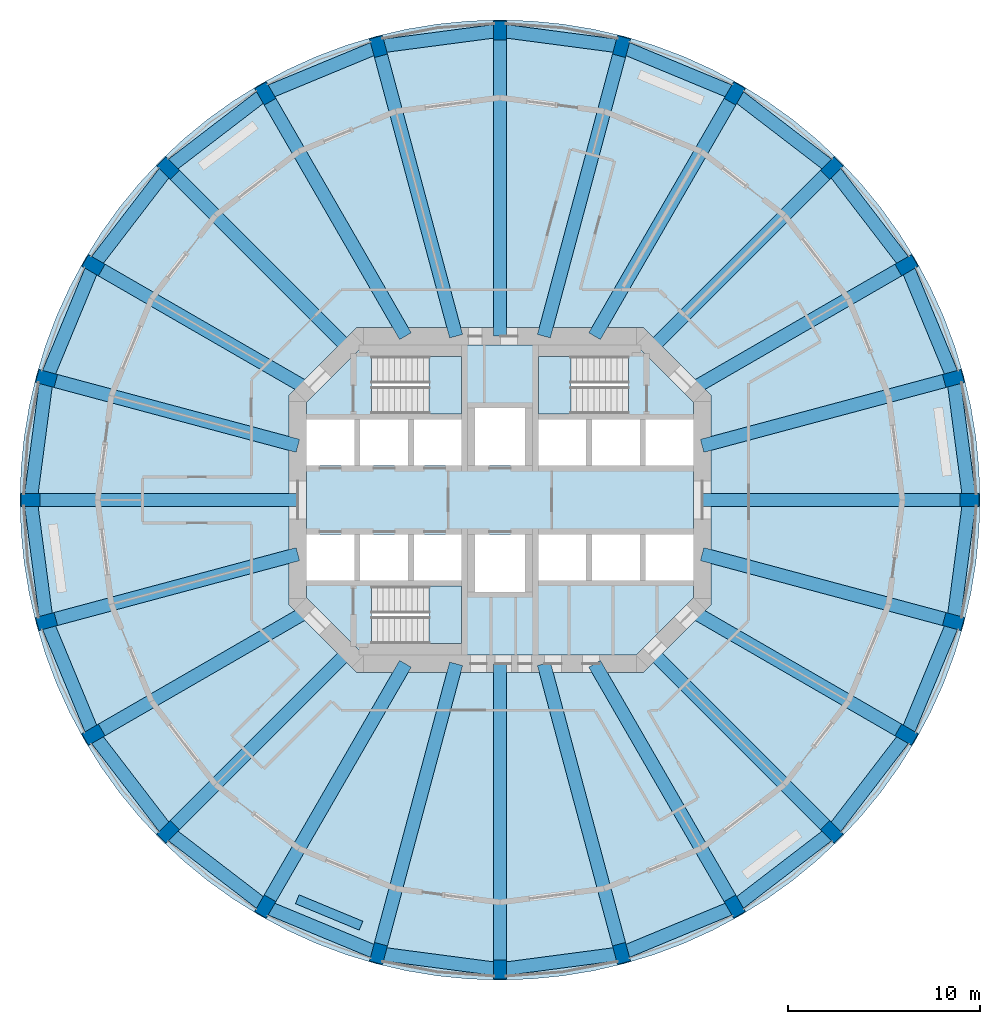
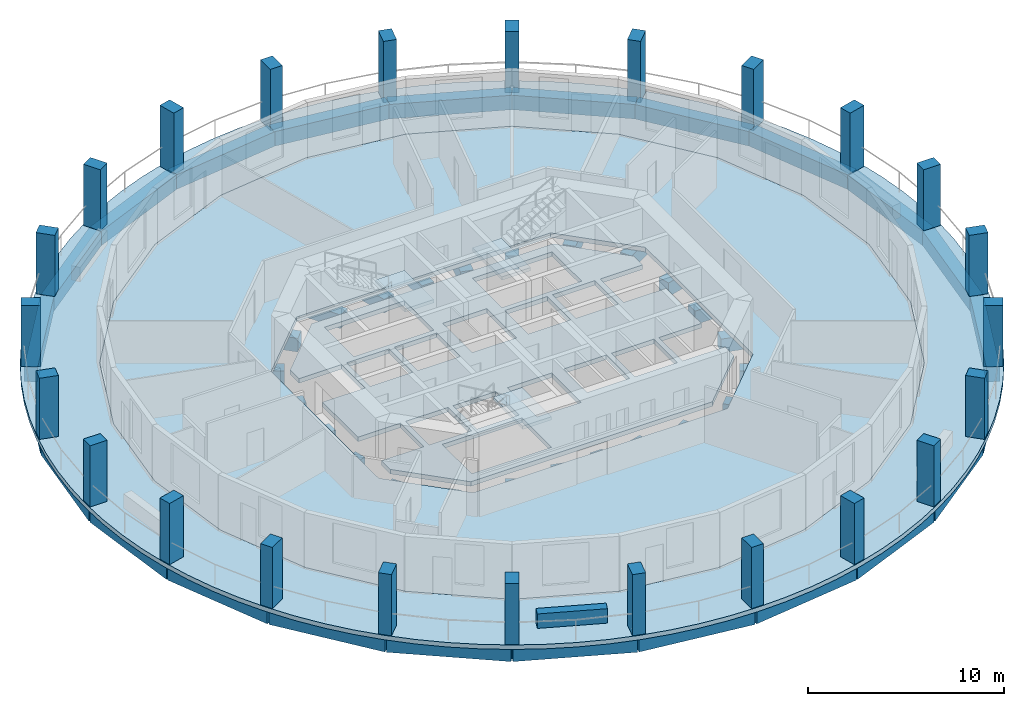
# One storey, part 1 of 8: 48 beams, 24 columns, 6 slabs, 1 wall, 3 elements without a shape of their own.
"""IFC4 building model written with IfcOpenShell, lengths in metres."""

from ifc_helpers import new_model, si_unit, direction, frame, frame_2d, origin, origin_2d, place, context, subcontext, project, spatial, polyline, rectangle, outline, extrude, material, layer, layer_set, material_profile, profile_set, type_object, element, aggregate, save


model = new_model("IFC4")

# Units and contexts
model_context = context("Model", 3, precision=1e-05, world=origin(), true_north=direction((0.0, 1.0)))
body_context = subcontext(model_context, "Body", "Model", "MODEL_VIEW")
ifc_project = project(units=[si_unit("LENGTHUNIT", "METRE"), si_unit("AREAUNIT", "SQUARE_METRE"), si_unit("VOLUMEUNIT", "CUBIC_METRE"), si_unit("PLANEANGLEUNIT", "RADIAN"), si_unit("MASSUNIT", "GRAM", prefix="KILO")], contexts=[model_context])

# Site, building, storey
site_placement = place(None, origin())
site = spatial("IfcSite", under=ifc_project, at=site_placement, CompositionType="ELEMENT")
building_placement = place(site_placement, origin())
building = spatial("IfcBuilding", under=site, at=building_placement, Name="Torre Triforio", CompositionType="ELEMENT")
storey_placement = place(building_placement, frame((0.0, 0.0, 142.800048828125)))
storey = spatial("IfcBuildingStorey", under=building, at=storey_placement, Name="L32", CompositionType="ELEMENT", Elevation=142.800048828125)

# Columns
ifc_material_1 = material(Name="Concrete C60", Category="concrete")
ifc_material_profile_1 = material_profile(ifc_material_1, rectangle(XDim=0.699951171875, YDim=1.0, at=origin_2d()), Name="RC 700x1000")
ifc_profile_set_1 = profile_set([ifc_material_profile_1], Name="Concrete C60")
column_type = type_object("IfcColumnType", Name="Pier RC 700x1000 C60", PredefinedType="COLUMN", material=ifc_profile_set_1)
for number, where, z_axis, x_axis, name in (
    (1, (24.5, 0.0, 0.0), (0.0, 0.0, 1.0), (0.0, 1.0, 0.0), "COL.R.L32.00"),
    (2, (23.665283203125, 6.341064453125, 0.0), (0.0, 0.0, 1.0), (-0.258819045103, 0.965925826289, 0.0), "COL.R.L32.01"),
    (3, (21.217529296875, 12.25, 0.0), (0.0, 0.0, 1.0), (-0.5, 0.866025403784, 0.0), "COL.R.L32.02"),
    (4, (17.32421875, 17.32421875, 0.0), (0.0, 0.0, 1.0), (-0.707106781187, 0.707106781187, 0.0), "COL.R.L32.03"),
    (5, (12.25, 21.217529296875, 0.0), (0.0, 0.0, 1.0), (-0.866025403784, 0.5, 0.0), "COL.R.L32.04"),
    (6, (6.341064453125, 23.665283203125, 0.0), (0.0, 0.0, 1.0), (-0.965925826289, 0.258819045103, 0.0), "COL.R.L32.05"),
    (7, (0.0, 24.5, 0.0), (0.0, 0.0, 1.0), (-1.0, 0.0, 0.0), "COL.R.L32.06"),
    (8, (-6.341064453125, 23.665283203125, 0.0), (0.0, 0.0, 1.0), (-0.965925826289, -0.258819045103, 0.0), "COL.R.L32.07"),
    (9, (-12.25, 21.217529296875, 0.0), (0.0, 0.0, 1.0), (-0.866025403784, -0.5, 0.0), "COL.R.L32.08"),
    (10, (-17.32421875, 17.32421875, 0.0), (0.0, 0.0, 1.0), (-0.707106781187, -0.707106781187, 0.0), "COL.R.L32.09"),
    (11, (-21.217529296875, 12.25, 0.0), (0.0, 0.0, 1.0), (-0.5, -0.866025403784, 0.0), "COL.R.L32.10"),
    (12, (-23.665283203125, 6.341064453125, 0.0), (0.0, 0.0, 1.0), (-0.258819045103, -0.965925826289, 0.0), "COL.R.L32.11"),
    (13, (-24.5, 0.0, 0.0), (0.0, 0.0, 1.0), (0.0, -1.0, 0.0), "COL.R.L32.12"),
    (14, (-23.665283203125, -6.341064453125, 0.0), (0.0, 0.0, 1.0), (0.258819045103, -0.965925826289, 0.0), "COL.R.L32.13"),
    (15, (-21.217529296875, -12.25, 0.0), (0.0, 0.0, 1.0), (0.5, -0.866025403784, 0.0), "COL.R.L32.14"),
    (16, (-17.32421875, -17.32421875, 0.0), (0.0, 0.0, 1.0), (0.707106781187, -0.707106781187, 0.0), "COL.R.L32.15"),
    (17, (-12.25, -21.217529296875, 0.0), (0.0, 0.0, 1.0), (0.866025403784, -0.5, 0.0), "COL.R.L32.16"),
    (18, (-6.341064453125, -23.665283203125, 0.0), (0.0, 0.0, 1.0), (0.965925826289, -0.258819045103, 0.0), "COL.R.L32.17"),
    (19, (0.0, -24.5, 0.0), (0.0, 0.0, 1.0), (1.0, 0.0, 0.0), "COL.R.L32.18"),
    (20, (6.341064453125, -23.665283203125, 0.0), (0.0, 0.0, 1.0), (0.965925826289, 0.258819045103, 0.0), "COL.R.L32.19"),
    (21, (12.25, -21.217529296875, 0.0), (0.0, 0.0, 1.0), (0.866025403784, 0.5, 0.0), "COL.R.L32.20"),
    (22, (17.32421875, -17.32421875, 0.0), (0.0, 0.0, 1.0), (0.707106781187, 0.707106781187, 0.0), "COL.R.L32.21"),
    (23, (21.217529296875, -12.25, 0.0), (0.0, 0.0, 1.0), (0.5, 0.866025403784, 0.0), "COL.R.L32.22"),
    (24, (23.665283203125, -6.341064453125, 0.0), (0.0, 0.0, 1.0), (0.258819045103, 0.965925826289, 0.0), "COL.R.L32.23"),
):
    element("IfcColumn", number, at=place(storey_placement, frame(where, z_axis=z_axis, x_axis=x_axis)), inside=storey, type_object=column_type, Name=name, PredefinedType="COLUMN", context=body_context, shape_type="SweptSolid", body=[
        extrude(rectangle(XDim=0.699951171875, YDim=1.0, at=origin_2d()), origin(), (0.0, 0.0, 1.0), 3.800048828125),
    ])

# Beams
ifc_material_2 = material(Name="Concrete C50", Category="concrete")
ifc_material_profile_2 = material_profile(ifc_material_2, rectangle(XDim=0.699951171875, YDim=0.85009765625, at=origin_2d()), Name="RC 700x850")
ifc_profile_set_2 = profile_set([ifc_material_profile_2], Name="Concrete C50")
beam_type_1 = type_object("IfcBeamType", Name="Radial beam RC 700x850 C50", PredefinedType="BEAM", material=ifc_profile_set_2)
beam_1_placement = place(storey_placement, frame((10.550048828125, 0.0, -0.705078125), z_axis=(1.0, 0.0, 0.0), x_axis=(0.0, 1.0, 0.0)))
element("IfcBeam", 25, at=beam_1_placement, inside=storey, type_object=beam_type_1, Name="BM.R.L32.00", PredefinedType="BEAM", context=body_context, shape_type="SweptSolid", body=[
    extrude(rectangle(XDim=0.699951171875, YDim=0.85009765625, at=origin_2d()), origin(), (0.0, 0.0, 1.0), 13.949951171875),
])
beam_2_placement = place(storey_placement, frame((10.550048828125, 2.826904296875, -0.705078125), z_axis=(0.965926862951, 0.258815176197, 0.0), x_axis=(-0.258815176197, 0.965926862951, 0.0)))
element("IfcBeam", 26, at=beam_2_placement, inside=storey, type_object=beam_type_1, Name="BM.R.L32.01", PredefinedType="BEAM", context=body_context, shape_type="SweptSolid", body=[
    extrude(rectangle(XDim=0.699951171875, YDim=0.85009765625, at=origin_2d()), origin(), (0.0, 0.0, 1.0), 13.577880859375),
])
beam_3_placement = place(storey_placement, frame((10.039794921875, 5.796630859375, -0.705078125), z_axis=(0.866028718729, 0.499994258303, 0.0), x_axis=(-0.499994258303, 0.866028718729, 0.0)))
element("IfcBeam", 27, at=beam_3_placement, inside=storey, type_object=beam_type_1, Name="BM.R.L32.02", PredefinedType="BEAM", context=body_context, shape_type="SweptSolid", body=[
    extrude(rectangle(XDim=0.699951171875, YDim=0.85009765625, at=origin_2d()), origin(), (0.0, 0.0, 1.0), 12.906982421875),
])
beam_4_placement = place(storey_placement, frame((7.918212890625, 7.918212890625, -0.705078125), z_axis=(0.707106781187, 0.707106781187, 0.0), x_axis=(-0.707106781187, 0.707106781187, 0.0)))
element("IfcBeam", 28, at=beam_4_placement, inside=storey, type_object=beam_type_1, Name="BM.R.L32.03", PredefinedType="BEAM", context=body_context, shape_type="SweptSolid", body=[
    extrude(rectangle(XDim=0.699951171875, YDim=0.85009765625, at=origin_2d()), origin(), (0.0, 0.0, 1.0), 13.302001953125),
])
beam_5_placement = place(storey_placement, frame((4.936279296875, 8.550048828125, -0.705078125), z_axis=(0.500007560092, 0.86602103892, 0.0), x_axis=(-0.86602103892, 0.500007560092, 0.0)))
element("IfcBeam", 29, at=beam_5_placement, inside=storey, type_object=beam_type_1, Name="BM.R.L32.04", PredefinedType="BEAM", context=body_context, shape_type="SweptSolid", body=[
    extrude(rectangle(XDim=0.699951171875, YDim=0.85009765625, at=origin_2d()), origin(), (0.0, 0.0, 1.0), 14.627197265625),
])
beam_6_placement = place(storey_placement, frame((2.291015625, 8.550048828125, -0.705078125), z_axis=(0.258815108997, 0.965926880957, 0.0), x_axis=(-0.965926880957, 0.258815108997, 0.0)))
element("IfcBeam", 30, at=beam_6_placement, inside=storey, type_object=beam_type_1, Name="BM.R.L32.05", PredefinedType="BEAM", context=body_context, shape_type="SweptSolid", body=[
    extrude(rectangle(XDim=0.699951171875, YDim=0.85009765625, at=origin_2d()), origin(), (0.0, 0.0, 1.0), 15.6484375),
])
beam_7_placement = place(storey_placement, frame((0.0, 8.550048828125, -0.705078125), z_axis=(0.0, 1.0, 0.0), x_axis=(-1.0, 0.0, 0.0)))
element("IfcBeam", 31, at=beam_7_placement, inside=storey, type_object=beam_type_1, Name="BM.R.L32.06", PredefinedType="BEAM", context=body_context, shape_type="SweptSolid", body=[
    extrude(rectangle(XDim=0.699951171875, YDim=0.85009765625, at=origin_2d()), origin(), (0.0, 0.0, 1.0), 15.949951171875),
])
beam_8_placement = place(storey_placement, frame((-2.291015625, 8.550048828125, -0.705078125), z_axis=(-0.258815108997, 0.965926880957, 0.0), x_axis=(-0.965926880957, -0.258815108997, 0.0)))
element("IfcBeam", 32, at=beam_8_placement, inside=storey, type_object=beam_type_1, Name="BM.R.L32.07", PredefinedType="BEAM", context=body_context, shape_type="SweptSolid", body=[
    extrude(rectangle(XDim=0.699951171875, YDim=0.85009765625, at=origin_2d()), origin(), (0.0, 0.0, 1.0), 15.6484375),
])
beam_9_placement = place(storey_placement, frame((-4.936279296875, 8.550048828125, -0.705078125), z_axis=(-0.500007560092, 0.86602103892, 0.0), x_axis=(-0.86602103892, -0.500007560092, 0.0)))
element("IfcBeam", 33, at=beam_9_placement, inside=storey, type_object=beam_type_1, Name="BM.R.L32.08", PredefinedType="BEAM", context=body_context, shape_type="SweptSolid", body=[
    extrude(rectangle(XDim=0.699951171875, YDim=0.85009765625, at=origin_2d()), origin(), (0.0, 0.0, 1.0), 14.627197265625),
])
beam_10_placement = place(storey_placement, frame((-7.918212890625, 7.918212890625, -0.705078125), z_axis=(-0.707106781187, 0.707106781187, 0.0), x_axis=(-0.707106781187, -0.707106781187, 0.0)))
element("IfcBeam", 34, at=beam_10_placement, inside=storey, type_object=beam_type_1, Name="BM.R.L32.09", PredefinedType="BEAM", context=body_context, shape_type="SweptSolid", body=[
    extrude(rectangle(XDim=0.699951171875, YDim=0.85009765625, at=origin_2d()), origin(), (0.0, 0.0, 1.0), 13.302001953125),
])
beam_11_placement = place(storey_placement, frame((-10.039794921875, 5.796630859375, -0.705078125), z_axis=(-0.866028718729, 0.499994258303, 0.0), x_axis=(-0.499994258303, -0.866028718729, 0.0)))
element("IfcBeam", 35, at=beam_11_placement, inside=storey, type_object=beam_type_1, Name="BM.R.L32.10", PredefinedType="BEAM", context=body_context, shape_type="SweptSolid", body=[
    extrude(rectangle(XDim=0.699951171875, YDim=0.85009765625, at=origin_2d()), origin(), (0.0, 0.0, 1.0), 12.906982421875),
])
beam_12_placement = place(storey_placement, frame((-10.550048828125, 2.826904296875, -0.705078125), z_axis=(-0.965926862951, 0.258815176197, 0.0), x_axis=(-0.258815176197, -0.965926862951, 0.0)))
element("IfcBeam", 36, at=beam_12_placement, inside=storey, type_object=beam_type_1, Name="BM.R.L32.11", PredefinedType="BEAM", context=body_context, shape_type="SweptSolid", body=[
    extrude(rectangle(XDim=0.699951171875, YDim=0.85009765625, at=origin_2d()), origin(), (0.0, 0.0, 1.0), 13.577880859375),
])
beam_13_placement = place(storey_placement, frame((-10.550048828125, 0.0, -0.705078125), z_axis=(-1.0, 0.0, 0.0), x_axis=(0.0, -1.0, 0.0)))
element("IfcBeam", 37, at=beam_13_placement, inside=storey, type_object=beam_type_1, Name="BM.R.L32.12", PredefinedType="BEAM", context=body_context, shape_type="SweptSolid", body=[
    extrude(rectangle(XDim=0.699951171875, YDim=0.85009765625, at=origin_2d()), origin(), (0.0, 0.0, 1.0), 13.949951171875),
])
beam_14_placement = place(storey_placement, frame((-10.550048828125, -2.826904296875, -0.705078125), z_axis=(-0.965926862951, -0.258815176197, 0.0), x_axis=(0.258815176197, -0.965926862951, 0.0)))
element("IfcBeam", 38, at=beam_14_placement, inside=storey, type_object=beam_type_1, Name="BM.R.L32.13", PredefinedType="BEAM", context=body_context, shape_type="SweptSolid", body=[
    extrude(rectangle(XDim=0.699951171875, YDim=0.85009765625, at=origin_2d()), origin(), (0.0, 0.0, 1.0), 13.577880859375),
])
beam_15_placement = place(storey_placement, frame((-10.039794921875, -5.796630859375, -0.705078125), z_axis=(-0.866028718729, -0.499994258303, 0.0), x_axis=(0.499994258303, -0.866028718729, 0.0)))
element("IfcBeam", 39, at=beam_15_placement, inside=storey, type_object=beam_type_1, Name="BM.R.L32.14", PredefinedType="BEAM", context=body_context, shape_type="SweptSolid", body=[
    extrude(rectangle(XDim=0.699951171875, YDim=0.85009765625, at=origin_2d()), origin(), (0.0, 0.0, 1.0), 12.906982421875),
])
beam_16_placement = place(storey_placement, frame((-7.918212890625, -7.918212890625, -0.705078125), z_axis=(-0.707106781187, -0.707106781187, 0.0), x_axis=(0.707106781187, -0.707106781187, 0.0)))
element("IfcBeam", 40, at=beam_16_placement, inside=storey, type_object=beam_type_1, Name="BM.R.L32.15", PredefinedType="BEAM", context=body_context, shape_type="SweptSolid", body=[
    extrude(rectangle(XDim=0.699951171875, YDim=0.85009765625, at=origin_2d()), origin(), (0.0, 0.0, 1.0), 13.302001953125),
])
beam_17_placement = place(storey_placement, frame((-4.936279296875, -8.550048828125, -0.705078125), z_axis=(-0.500007560092, -0.86602103892, 0.0), x_axis=(0.86602103892, -0.500007560092, 0.0)))
element("IfcBeam", 41, at=beam_17_placement, inside=storey, type_object=beam_type_1, Name="BM.R.L32.16", PredefinedType="BEAM", context=body_context, shape_type="SweptSolid", body=[
    extrude(rectangle(XDim=0.699951171875, YDim=0.85009765625, at=origin_2d()), origin(), (0.0, 0.0, 1.0), 14.627197265625),
])
beam_18_placement = place(storey_placement, frame((-2.291015625, -8.550048828125, -0.705078125), z_axis=(-0.258815108997, -0.965926880957, 0.0), x_axis=(0.965926880957, -0.258815108997, 0.0)))
element("IfcBeam", 42, at=beam_18_placement, inside=storey, type_object=beam_type_1, Name="BM.R.L32.17", PredefinedType="BEAM", context=body_context, shape_type="SweptSolid", body=[
    extrude(rectangle(XDim=0.699951171875, YDim=0.85009765625, at=origin_2d()), origin(), (0.0, 0.0, 1.0), 15.6484375),
])
beam_19_placement = place(storey_placement, frame((0.0, -8.550048828125, -0.705078125), z_axis=(0.0, -1.0, 0.0), x_axis=(1.0, 0.0, 0.0)))
element("IfcBeam", 43, at=beam_19_placement, inside=storey, type_object=beam_type_1, Name="BM.R.L32.18", PredefinedType="BEAM", context=body_context, shape_type="SweptSolid", body=[
    extrude(rectangle(XDim=0.699951171875, YDim=0.85009765625, at=origin_2d()), origin(), (0.0, 0.0, 1.0), 15.949951171875),
])
beam_20_placement = place(storey_placement, frame((2.291015625, -8.550048828125, -0.705078125), z_axis=(0.258815108997, -0.965926880957, 0.0), x_axis=(0.965926880957, 0.258815108997, 0.0)))
element("IfcBeam", 44, at=beam_20_placement, inside=storey, type_object=beam_type_1, Name="BM.R.L32.19", PredefinedType="BEAM", context=body_context, shape_type="SweptSolid", body=[
    extrude(rectangle(XDim=0.699951171875, YDim=0.85009765625, at=origin_2d()), origin(), (0.0, 0.0, 1.0), 15.6484375),
])
beam_21_placement = place(storey_placement, frame((4.936279296875, -8.550048828125, -0.705078125), z_axis=(0.500007560092, -0.86602103892, 0.0), x_axis=(0.86602103892, 0.500007560092, 0.0)))
element("IfcBeam", 45, at=beam_21_placement, inside=storey, type_object=beam_type_1, Name="BM.R.L32.20", PredefinedType="BEAM", context=body_context, shape_type="SweptSolid", body=[
    extrude(rectangle(XDim=0.699951171875, YDim=0.85009765625, at=origin_2d()), origin(), (0.0, 0.0, 1.0), 14.627197265625),
])
beam_22_placement = place(storey_placement, frame((7.918212890625, -7.918212890625, -0.705078125), z_axis=(0.707106781187, -0.707106781187, 0.0), x_axis=(0.707106781187, 0.707106781187, 0.0)))
element("IfcBeam", 46, at=beam_22_placement, inside=storey, type_object=beam_type_1, Name="BM.R.L32.21", PredefinedType="BEAM", context=body_context, shape_type="SweptSolid", body=[
    extrude(rectangle(XDim=0.699951171875, YDim=0.85009765625, at=origin_2d()), origin(), (0.0, 0.0, 1.0), 13.302001953125),
])
beam_23_placement = place(storey_placement, frame((10.039794921875, -5.796630859375, -0.705078125), z_axis=(0.866028718729, -0.499994258303, 0.0), x_axis=(0.499994258303, 0.866028718729, 0.0)))
element("IfcBeam", 47, at=beam_23_placement, inside=storey, type_object=beam_type_1, Name="BM.R.L32.22", PredefinedType="BEAM", context=body_context, shape_type="SweptSolid", body=[
    extrude(rectangle(XDim=0.699951171875, YDim=0.85009765625, at=origin_2d()), origin(), (0.0, 0.0, 1.0), 12.906982421875),
])
beam_24_placement = place(storey_placement, frame((10.550048828125, -2.826904296875, -0.705078125), z_axis=(0.965926862951, -0.258815176197, 0.0), x_axis=(0.258815176197, 0.965926862951, 0.0)))
element("IfcBeam", 48, at=beam_24_placement, inside=storey, type_object=beam_type_1, Name="BM.R.L32.23", PredefinedType="BEAM", context=body_context, shape_type="SweptSolid", body=[
    extrude(rectangle(XDim=0.699951171875, YDim=0.85009765625, at=origin_2d()), origin(), (0.0, 0.0, 1.0), 13.577880859375),
])
ifc_material_profile_3 = material_profile(ifc_material_2, rectangle(XDim=0.699951171875, YDim=0.89990234375, at=origin_2d()), Name="RC 700x900")
ifc_profile_set_3 = profile_set([ifc_material_profile_3], Name="Concrete C50")
beam_type_2 = type_object("IfcBeamType", Name="Spandrel beam RC 700x900 C50", PredefinedType="SPANDREL", material=ifc_profile_set_3)
for number, where, z_axis, x_axis, name in (
    (49, (24.5, 0.0, -0.72998046875), (-0.130510796237, 0.991446888172, 0.0), (-0.991446888172, -0.130510796237, 0.0), "BM.S.L32.00"),
    (50, (23.665283203125, 6.341064453125, -0.72998046875), (-0.382709143949, 0.923868882006, 0.0), (-0.923868882006, -0.382709143949, 0.0), "BM.S.L32.01"),
    (51, (21.217529296875, 12.25, -0.72998046875), (-0.60873442055, 0.79337406388, 0.0), (-0.79337406388, -0.60873442055, 0.0), "BM.S.L32.02"),
    (52, (17.32421875, 17.32421875, -0.72998046875), (-0.79337406388, 0.60873442055, 0.0), (-0.60873442055, -0.79337406388, 0.0), "BM.S.L32.03"),
    (53, (12.25, 21.217529296875, -0.72998046875), (-0.923868882006, 0.382709143949, 0.0), (-0.382709143949, -0.923868882006, 0.0), "BM.S.L32.04"),
    (54, (6.341064453125, 23.665283203125, -0.72998046875), (-0.991446888172, 0.130510796237, 0.0), (-0.130510796237, -0.991446888172, 0.0), "BM.S.L32.05"),
    (55, (0.0, 24.5, -0.72998046875), (-0.991446888172, -0.130510796237, 0.0), (0.130510796237, -0.991446888172, 0.0), "BM.S.L32.06"),
    (56, (-6.341064453125, 23.665283203125, -0.72998046875), (-0.923868882006, -0.382709143949, 0.0), (0.382709143949, -0.923868882006, 0.0), "BM.S.L32.07"),
    (57, (-12.25, 21.217529296875, -0.72998046875), (-0.79337406388, -0.60873442055, 0.0), (0.60873442055, -0.79337406388, 0.0), "BM.S.L32.08"),
    (58, (-17.32421875, 17.32421875, -0.72998046875), (-0.60873442055, -0.79337406388, 0.0), (0.79337406388, -0.60873442055, 0.0), "BM.S.L32.09"),
    (59, (-21.217529296875, 12.25, -0.72998046875), (-0.382709143949, -0.923868882006, 0.0), (0.923868882006, -0.382709143949, 0.0), "BM.S.L32.10"),
    (60, (-23.665283203125, 6.341064453125, -0.72998046875), (-0.130510796237, -0.991446888172, 0.0), (0.991446888172, -0.130510796237, 0.0), "BM.S.L32.11"),
    (61, (-24.5, 0.0, -0.72998046875), (0.130510796237, -0.991446888172, 0.0), (0.991446888172, 0.130510796237, 0.0), "BM.S.L32.12"),
    (62, (-23.665283203125, -6.341064453125, -0.72998046875), (0.382709143949, -0.923868882006, 0.0), (0.923868882006, 0.382709143949, 0.0), "BM.S.L32.13"),
    (63, (-21.217529296875, -12.25, -0.72998046875), (0.60873442055, -0.79337406388, 0.0), (0.79337406388, 0.60873442055, 0.0), "BM.S.L32.14"),
    (64, (-17.32421875, -17.32421875, -0.72998046875), (0.79337406388, -0.60873442055, 0.0), (0.60873442055, 0.79337406388, 0.0), "BM.S.L32.15"),
    (65, (-12.25, -21.217529296875, -0.72998046875), (0.923868882006, -0.382709143949, 0.0), (0.382709143949, 0.923868882006, 0.0), "BM.S.L32.16"),
    (66, (-6.341064453125, -23.665283203125, -0.72998046875), (0.991446888172, -0.130510796237, 0.0), (0.130510796237, 0.991446888172, 0.0), "BM.S.L32.17"),
    (67, (0.0, -24.5, -0.72998046875), (0.991446888172, 0.130510796237, 0.0), (-0.130510796237, 0.991446888172, 0.0), "BM.S.L32.18"),
    (68, (6.341064453125, -23.665283203125, -0.72998046875), (0.923868882006, 0.382709143949, 0.0), (-0.382709143949, 0.923868882006, 0.0), "BM.S.L32.19"),
    (69, (12.25, -21.217529296875, -0.72998046875), (0.79337406388, 0.60873442055, 0.0), (-0.60873442055, 0.79337406388, 0.0), "BM.S.L32.20"),
    (70, (17.32421875, -17.32421875, -0.72998046875), (0.60873442055, 0.79337406388, 0.0), (-0.79337406388, 0.60873442055, 0.0), "BM.S.L32.21"),
    (71, (21.217529296875, -12.25, -0.72998046875), (0.382709143949, 0.923868882006, 0.0), (-0.923868882006, 0.382709143949, 0.0), "BM.S.L32.22"),
    (72, (23.665283203125, -6.341064453125, -0.72998046875), (0.130510796237, 0.991446888172, 0.0), (-0.991446888172, 0.130510796237, 0.0), "BM.S.L32.23"),
):
    element("IfcBeam", number, at=place(storey_placement, frame(where, z_axis=z_axis, x_axis=x_axis)), inside=storey, type_object=beam_type_2, Name=name, PredefinedType="SPANDREL", context=body_context, shape_type="SweptSolid", body=[
        extrude(rectangle(XDim=0.699951171875, YDim=0.89990234375, at=origin_2d()), origin(), (0.0, 0.0, 1.0), 6.395751953125),
    ])

# Slabs
ifc_layer_1 = layer(ifc_material_1, 0.280029296875)
ifc_layer_set_1 = layer_set([ifc_layer_1], Name="Concrete C60")
slab_type_1 = type_object("IfcSlabType", Name="Core floor slab 280 mm C60 REI 120", PredefinedType="FLOOR", material=ifc_layer_set_1)
slab_1_placement = place(storey_placement, frame((0.0, 0.0, -0.280029296875)))
element("IfcSlab", 73, at=slab_1_placement, inside=storey, type_object=slab_type_1, Name="Core floor slab", PredefinedType="FLOOR", context=body_context, shape_type="SweptSolid", body=[
    extrude(outline(polyline([(10.10009765625, -5.10009765625), (7.10009765625, -8.10009765625), (-7.10009765625, -8.10009765625), (-10.10009765625, -5.10009765625), (-10.10009765625, -4.199951171875), (-7.60009765625, -4.199951171875), (-7.60009765625, -1.800048828125), (-10.10009765625, -1.800048828125), (-10.10009765625, 1.800048828125), (-7.60009765625, 1.800048828125), (-7.60009765625, 4.199951171875), (-10.10009765625, 4.199951171875), (-10.10009765625, 5.10009765625), (-7.10009765625, 8.10009765625), (7.10009765625, 8.10009765625), (10.10009765625, 5.10009765625), (10.10009765625, 4.199951171875), (7.60009765625, 4.199951171875), (7.60009765625, 1.800048828125), (10.10009765625, 1.800048828125), (10.10009765625, -1.800048828125), (7.60009765625, -1.800048828125), (7.60009765625, -4.199951171875), (10.10009765625, -4.199951171875), (10.10009765625, -5.10009765625)]), holes=[polyline([(-2.0, -4.5), (-6.696044921875, -4.5), (-6.696044921875, -7.5), (-2.0, -7.5), (-2.0, -4.5)]), polyline([(-4.800048828125, -1.800048828125), (-7.300048828125, -1.800048828125), (-7.300048828125, -4.199951171875), (-4.800048828125, -4.199951171875), (-4.800048828125, -1.800048828125)]), polyline([(-2.0, -1.800048828125), (-4.5, -1.800048828125), (-4.5, -4.199951171875), (-2.0, -4.199951171875), (-2.0, -1.800048828125)]), polyline([(-4.800048828125, 4.199951171875), (-7.300048828125, 4.199951171875), (-7.300048828125, 1.800048828125), (-4.800048828125, 1.800048828125), (-4.800048828125, 4.199951171875)]), polyline([(-2.0, 4.199951171875), (-4.5, 4.199951171875), (-4.5, 1.800048828125), (-2.0, 1.800048828125), (-2.0, 4.199951171875)]), polyline([(1.300048828125, 4.800048828125), (-1.300048828125, 4.800048828125), (-1.300048828125, 1.800048828125), (1.300048828125, 1.800048828125), (1.300048828125, 4.800048828125)]), polyline([(-2.0, 7.5), (-6.696044921875, 7.5), (-6.696044921875, 4.5), (-2.0, 4.5), (-2.0, 7.5)]), polyline([(1.300048828125, -1.800048828125), (-1.300048828125, -1.800048828125), (-1.300048828125, -4.800048828125), (1.300048828125, -4.800048828125), (1.300048828125, -1.800048828125)]), polyline([(4.5, -1.800048828125), (2.0, -1.800048828125), (2.0, -4.199951171875), (4.5, -4.199951171875), (4.5, -1.800048828125)]), polyline([(7.300048828125, -1.800048828125), (4.800048828125, -1.800048828125), (4.800048828125, -4.199951171875), (7.300048828125, -4.199951171875), (7.300048828125, -1.800048828125)]), polyline([(4.5, 4.199951171875), (2.0, 4.199951171875), (2.0, 1.800048828125), (4.5, 1.800048828125), (4.5, 4.199951171875)]), polyline([(7.300048828125, 4.199951171875), (4.800048828125, 4.199951171875), (4.800048828125, 1.800048828125), (7.300048828125, 1.800048828125), (7.300048828125, 4.199951171875)]), polyline([(6.696044921875, 4.5), (6.696044921875, 7.5), (2.0, 7.5), (2.0, 4.5), (6.696044921875, 4.5)])]), origin(), (0.0, 0.0, 1.0), 0.280029296875),
])
ifc_layer_2 = layer(ifc_material_2, 0.280029296875)
ifc_layer_set_2 = layer_set([ifc_layer_2], Name="Concrete C50")
slab_type_2 = type_object("IfcSlabType", Name="Floor slab 280 C50", PredefinedType="FLOOR", material=ifc_layer_set_2)
slab_2_placement = place(storey_placement, frame((0.0, 0.0, -0.280029296875)))
element("IfcSlab", 74, at=slab_2_placement, inside=storey, type_object=slab_type_2, Name="SL.L32", PredefinedType="FLOOR", context=body_context, shape_type="SweptSolid", body=[
    extrude(outline(polyline([(18.1865234375, -10.5), (20.284423828125, -5.435302734375), (21.0, 0.0), (20.284423828125, 5.435302734375), (18.1865234375, 10.5), (14.84912109375, 14.84912109375), (10.5, 18.1865234375), (5.435302734375, 20.284423828125), (0.0, 21.0), (-5.435302734375, 20.284423828125), (-10.5, 18.1865234375), (-14.84912109375, 14.84912109375), (-18.1865234375, 10.5), (-20.284423828125, 5.435302734375), (-21.0, 0.0), (-20.284423828125, -5.435302734375), (-18.1865234375, -10.5), (-14.84912109375, -14.84912109375), (-10.5, -18.1865234375), (-5.435302734375, -20.284423828125), (0.0, -21.0), (5.435302734375, -20.284423828125), (10.5, -18.1865234375), (14.84912109375, -14.84912109375), (18.1865234375, -10.5)]), holes=[polyline([(11.0, 5.472900390625), (11.0, -5.472900390625), (7.472900390625, -9.0), (-7.472900390625, -9.0), (-11.0, -5.472900390625), (-11.0, 5.472900390625), (-7.472900390625, 9.0), (7.472900390625, 9.0), (11.0, 5.472900390625)])]), origin(), (0.0, 0.0, 1.0), 0.280029296875),
])
ifc_layer_3 = layer(ifc_material_2, 0.280029296875)
ifc_layer_set_3 = layer_set([ifc_layer_3], Name="Concrete C50")
slab_type_3 = type_object("IfcSlabType", Name="Loggia slab 280 C50", PredefinedType="FLOOR", material=ifc_layer_set_3)
slab_3_placement = place(storey_placement, frame((0.0, 0.0, -0.280029296875)))
element("IfcSlab", 75, at=slab_3_placement, inside=storey, type_object=slab_type_3, Name="SL.L32.LG", PredefinedType="FLOOR", context=body_context, shape_type="SweptSolid", body=[
    extrude(outline(polyline([(24.996337890625, -1.638427734375), (25.050048828125, 0.0), (24.996337890625, 1.638427734375), (24.835693359375, 3.269775390625), (24.568603515625, 4.886962890625), (24.196533203125, 6.4833984375), (23.720703125, 8.052001953125), (23.14306640625, 9.586181640625), (22.466552734375, 11.079345703125), (21.69384765625, 12.52490234375), (20.828369140625, 13.9169921875), (19.87353515625, 15.24951171875), (18.83349609375, 16.5166015625), (17.713134765625, 17.713134765625), (16.5166015625, 18.83349609375), (15.24951171875, 19.87353515625), (13.9169921875, 20.828369140625), (12.52490234375, 21.69384765625), (11.079345703125, 22.466552734375), (9.586181640625, 23.14306640625), (8.052001953125, 23.720703125), (6.4833984375, 24.196533203125), (4.886962890625, 24.568603515625), (3.269775390625, 24.835693359375), (1.638427734375, 24.996337890625), (0.0, 25.050048828125), (-1.638427734375, 24.996337890625), (-3.269775390625, 24.835693359375), (-4.886962890625, 24.568603515625), (-6.4833984375, 24.196533203125), (-8.052001953125, 23.720703125), (-9.586181640625, 23.14306640625), (-11.079345703125, 22.466552734375), (-12.52490234375, 21.69384765625), (-13.9169921875, 20.828369140625), (-15.24951171875, 19.87353515625), (-16.5166015625, 18.83349609375), (-17.713134765625, 17.713134765625), (-18.83349609375, 16.5166015625), (-19.87353515625, 15.24951171875), (-20.828369140625, 13.9169921875), (-21.69384765625, 12.52490234375), (-22.466552734375, 11.079345703125), (-23.14306640625, 9.586181640625), (-23.720703125, 8.052001953125), (-24.196533203125, 6.4833984375), (-24.568603515625, 4.886962890625), (-24.835693359375, 3.269775390625), (-24.996337890625, 1.638427734375), (-25.050048828125, 0.0), (-24.996337890625, -1.638427734375), (-24.835693359375, -3.269775390625), (-24.568603515625, -4.886962890625), (-24.196533203125, -6.4833984375), (-23.720703125, -8.052001953125), (-23.14306640625, -9.586181640625), (-22.466552734375, -11.079345703125), (-21.69384765625, -12.52490234375), (-20.828369140625, -13.9169921875), (-19.87353515625, -15.24951171875), (-18.83349609375, -16.5166015625), (-17.713134765625, -17.713134765625), (-16.5166015625, -18.83349609375), (-15.24951171875, -19.87353515625), (-13.9169921875, -20.828369140625), (-12.52490234375, -21.69384765625), (-11.079345703125, -22.466552734375), (-9.586181640625, -23.14306640625), (-8.052001953125, -23.720703125), (-6.4833984375, -24.196533203125), (-4.886962890625, -24.568603515625), (-3.269775390625, -24.835693359375), (-1.638427734375, -24.996337890625), (0.0, -25.050048828125), (1.638427734375, -24.996337890625), (3.269775390625, -24.835693359375), (4.886962890625, -24.568603515625), (6.4833984375, -24.196533203125), (8.052001953125, -23.720703125), (9.586181640625, -23.14306640625), (11.079345703125, -22.466552734375), (12.52490234375, -21.69384765625), (13.9169921875, -20.828369140625), (15.24951171875, -19.87353515625), (16.5166015625, -18.83349609375), (17.713134765625, -17.713134765625), (18.83349609375, -16.5166015625), (19.87353515625, -15.24951171875), (20.828369140625, -13.9169921875), (21.69384765625, -12.52490234375), (22.466552734375, -11.079345703125), (23.14306640625, -9.586181640625), (23.720703125, -8.052001953125), (24.196533203125, -6.4833984375), (24.568603515625, -4.886962890625), (24.835693359375, -3.269775390625), (24.996337890625, -1.638427734375)]), holes=[polyline([(20.284423828125, 5.435302734375), (21.0, 0.0), (20.284423828125, -5.435302734375), (18.1865234375, -10.5), (14.84912109375, -14.84912109375), (10.5, -18.1865234375), (5.435302734375, -20.284423828125), (0.0, -21.0), (-5.435302734375, -20.284423828125), (-10.5, -18.1865234375), (-14.84912109375, -14.84912109375), (-18.1865234375, -10.5), (-20.284423828125, -5.435302734375), (-21.0, 0.0), (-20.284423828125, 5.435302734375), (-18.1865234375, 10.5), (-14.84912109375, 14.84912109375), (-10.5, 18.1865234375), (-5.435302734375, 20.284423828125), (0.0, 21.0), (5.435302734375, 20.284423828125), (10.5, 18.1865234375), (14.84912109375, 14.84912109375), (18.1865234375, 10.5), (20.284423828125, 5.435302734375)])]), origin(), (0.0, 0.0, 1.0), 0.280029296875),
])

# Stair, slab
ifc_material_3 = material(Name="Concrete C40", Category="concrete")
stair_type = type_object("IfcStairType", Name="STAIR HALF-TURN", PredefinedType="HALF_TURN_STAIR", material=ifc_material_3)
stair_1_placement = place(storey_placement, origin())
stair_1 = element("IfcStair", 76, at=stair_1_placement, inside=storey, type_object=stair_type, Name="Exit stair 1", PredefinedType="HALF_TURN_STAIR")
ifc_layer_4 = layer(ifc_material_3, 0.199951171875)
ifc_layer_set_4 = layer_set([ifc_layer_4], Name="Concrete C40")
slab_type_4 = type_object("IfcSlabType", Name="STAIR LANDING 200", PredefinedType="LANDING", material=ifc_layer_set_4)
slab_4_placement = place(storey_placement, frame((0.0, 0.0, 1.699951171875)))
slab_4 = element("IfcSlab", 77, at=slab_4_placement, type_object=slab_type_4, Name="ST1 landing 1", PredefinedType="LANDING", context=body_context, shape_type="SweptSolid", body=[
    extrude(outline(polyline([(-2.0, 4.5), (-2.0, 7.5), (-3.699951171875, 7.5), (-3.699951171875, 4.5), (-2.0, 4.5)])), origin(), (0.0, 0.0, 1.0), 0.199951171875),
])
aggregate(stair_1, [slab_4])

stair_2_placement = place(storey_placement, origin())
stair_2 = element("IfcStair", 78, at=stair_2_placement, inside=storey, type_object=stair_type, Name="Exit stair 2", PredefinedType="HALF_TURN_STAIR")
slab_5_placement = place(storey_placement, frame((0.0, 0.0, 1.699951171875)))
slab_5 = element("IfcSlab", 79, at=slab_5_placement, type_object=slab_type_4, Name="ST2 landing 1", PredefinedType="LANDING", context=body_context, shape_type="SweptSolid", body=[
    extrude(outline(polyline([(3.699951171875, 4.5), (3.699951171875, 7.5), (2.0, 7.5), (2.0, 4.5), (3.699951171875, 4.5)])), origin(), (0.0, 0.0, 1.0), 0.199951171875),
])
aggregate(stair_2, [slab_5])

stair_3_placement = place(storey_placement, origin())
stair_3 = element("IfcStair", 80, at=stair_3_placement, inside=storey, type_object=stair_type, Name="Exit stair 3", PredefinedType="HALF_TURN_STAIR")
slab_6_placement = place(storey_placement, frame((0.0, 0.0, 1.699951171875)))
slab_6 = element("IfcSlab", 81, at=slab_6_placement, type_object=slab_type_4, Name="ST3 landing 1", PredefinedType="LANDING", context=body_context, shape_type="SweptSolid", body=[
    extrude(outline(polyline([(-2.0, -7.5), (-2.0, -4.5), (-3.699951171875, -4.5), (-3.699951171875, -7.5), (-2.0, -7.5)])), origin(), (0.0, 0.0, 1.0), 0.199951171875),
])
aggregate(stair_3, [slab_6])

# Wall
ifc_material_4 = material(Name="Limestone cladding", Category="masonry")
ifc_layer_5 = layer(ifc_material_4, 0.10009765625)
ifc_layer_6 = layer(ifc_material_3, 0.39990234375)
ifc_layer_set_5 = layer_set([ifc_layer_5, ifc_layer_6], Name="Limestone cladding / Concrete C40")
wall_type = type_object("IfcWallType", Name="Planter wall 500", PredefinedType="PARAPET", material=ifc_layer_set_5)
wall_placement = place(storey_placement, frame((-10.57958984375, -20.837646484375, 0.0), z_axis=(0.0, 0.0, 1.0), x_axis=(0.923909393783, -0.382611332921, 0.0)))
element("IfcWall", 82, at=wall_placement, inside=storey, type_object=wall_type, Name="Planter L32 bay 17", PredefinedType="PARAPET", context=body_context, shape_type="SweptSolid", body=[
    extrude(rectangle(XDim=3.60009765625, YDim=0.5, at=frame_2d((1.800048828125, 0.0))), origin(), (0.0, 0.0, 1.0), 0.89990234375),
])

save(model, "model.ifc")
